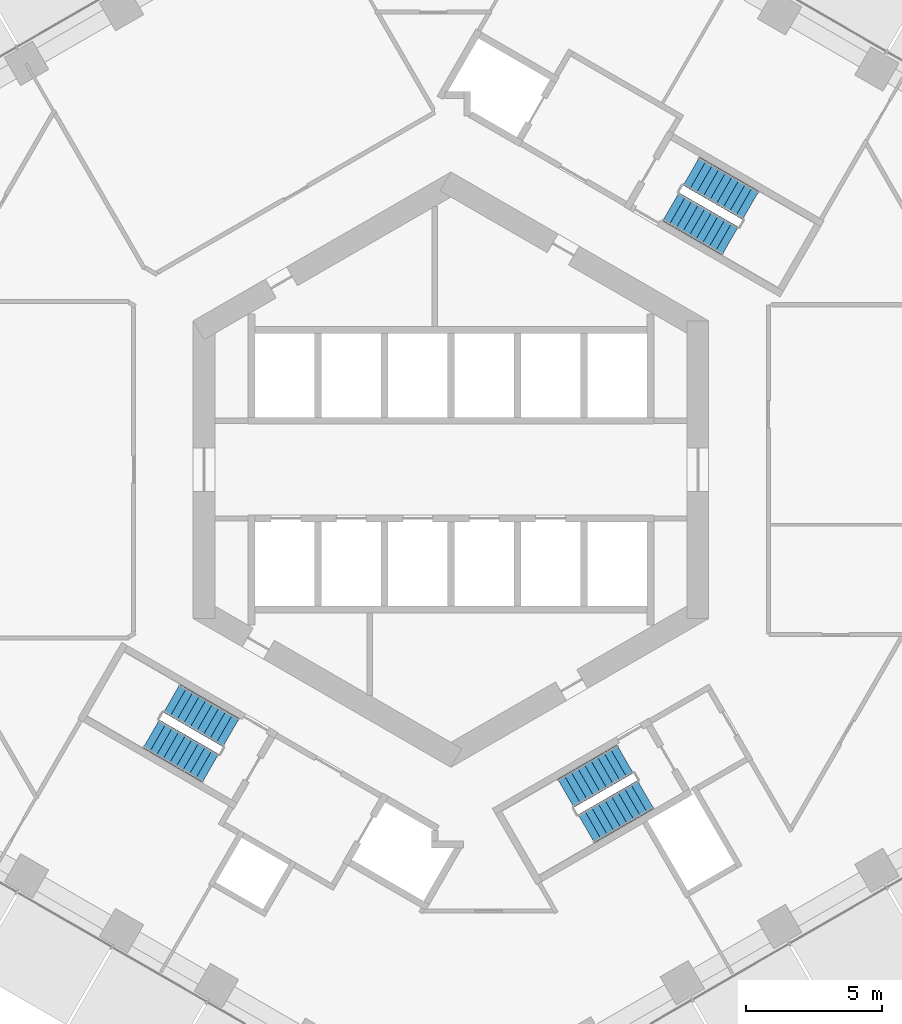
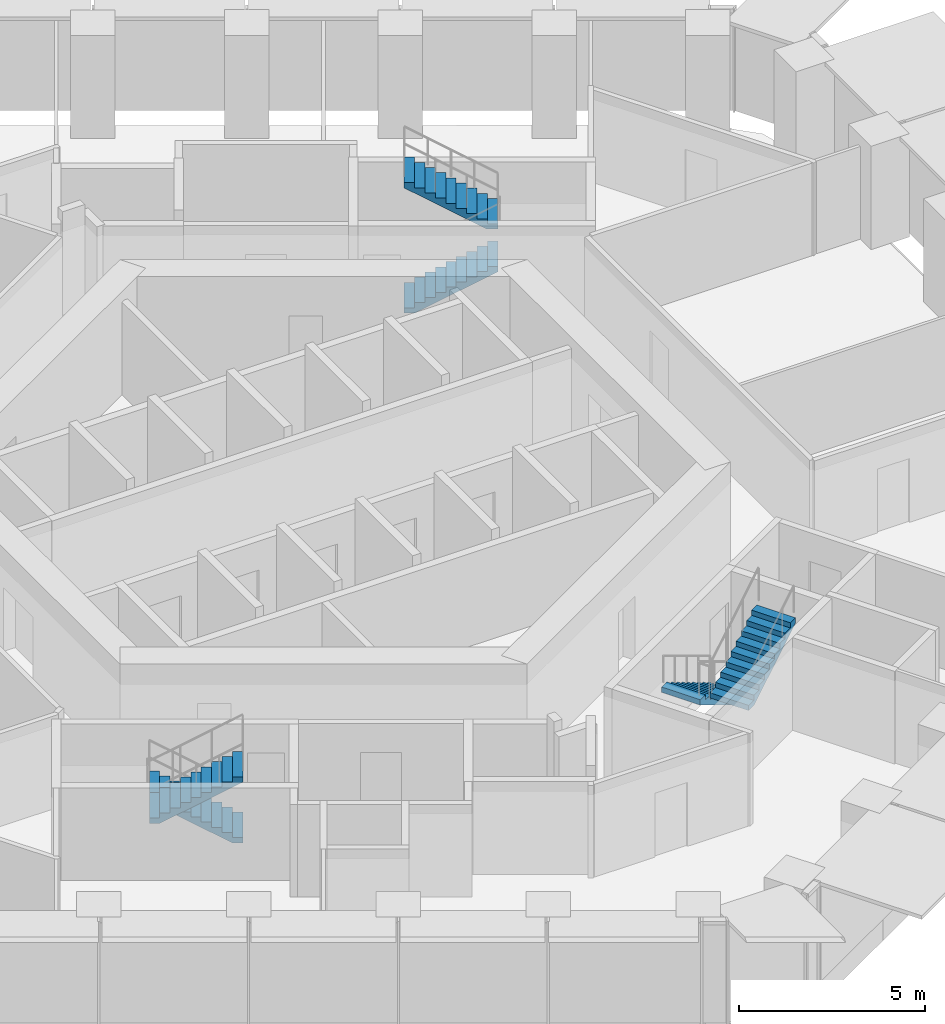
# One storey, part 16 of 19: 6 stair flights, 3 elements without a shape of their own.
"""IFC4 building model written with IfcOpenShell, lengths in metres."""

import ifcopenshell
import ifcopenshell.guid

model = None  # the IFC model being written
_history = None  # IfcOwnerHistory: only IFC2X3 demands one
_inside = {}  # id of a spatial element -> (the spatial element, [elements in it])
_under = {}  # id of a project, library or spatial element -> (it, [spatial elements below it])
_declared = {}  # id of a project -> (the project, [libraries it declares])
_typed = {}  # id of a type object -> (the type object, [elements of that type])
_made_of = {}  # id of a material, layer set ... -> (it, [elements and type objects made of it])


def new_model(schema):
    """Start an empty IFC model of exactly this schema.

    Asked for "IFC4X3", IfcOpenShell would pick the latest addendum, in which some entities
    have other attributes; the version numbers below select the first issue.
    IFC2X3 requires an IfcOwnerHistory on every rooted entity: one is made here for all.
    """
    global model, _history
    if schema == "IFC4X3":
        model = ifcopenshell.file(schema_version=(4, 3, 0, 0))
    else:
        model = ifcopenshell.file(schema=schema)
    _inside.clear()
    _under.clear()
    _declared.clear()
    _typed.clear()
    _made_of.clear()
    _history = None
    if model.schema == "IFC2X3":
        org = make("IfcOrganization", Name="unknown")
        user = make(
            "IfcPersonAndOrganization",
            ThePerson=make("IfcPerson", FamilyName="unknown"),
            TheOrganization=org,
        )
        app = make(
            "IfcApplication",
            ApplicationDeveloper=org,
            Version="unknown",
            ApplicationFullName="unknown",
            ApplicationIdentifier="unknown",
        )
        _history = make(
            "IfcOwnerHistory",
            OwningUser=user,
            OwningApplication=app,
            ChangeAction="ADDED",
            CreationDate=0,
        )
    return model


def make(cls, **values):
    """One entity of the class cls with the attributes given. An attribute that is None is left unset."""
    return model.create_entity(
        cls, **{name: value for name, value in values.items() if value is not None}
    )


def rooted(cls, **values):
    """An entity with a GlobalId (a new one), such as an element, a storey or a relation."""
    return make(cls, GlobalId=ifcopenshell.guid.new(), OwnerHistory=_history, **values)


def si_unit(unit_type, name, prefix=None):
    """IfcSIUnit, for example si_unit("LENGTHUNIT", "METRE", prefix="MILLI")."""
    return make("IfcSIUnit", UnitType=unit_type, Prefix=prefix, Name=name)


def assignment(units):
    """IfcUnitAssignment: the units of a project."""
    return None if units is None else make("IfcUnitAssignment", Units=units)


def point(xyz):
    """IfcCartesianPoint."""
    return None if xyz is None else make("IfcCartesianPoint", Coordinates=xyz)


def direction(xyz):
    """IfcDirection."""
    return None if xyz is None else make("IfcDirection", DirectionRatios=xyz)


def frame(location, z_axis=None, x_axis=None):
    """IfcAxis2Placement3D, a coordinate frame: its origin and axes. An axis left out is left unset."""
    return make(
        "IfcAxis2Placement3D",
        Location=point(location),
        Axis=direction(z_axis),
        RefDirection=direction(x_axis),
    )


def origin():
    """The frame at (0, 0, 0) with its axes left unset."""
    return frame((0.0, 0.0, 0.0))


def place(relative_to, where):
    """IfcLocalPlacement: puts the frame where relative to a parent placement (None: the world)."""
    return make(
        "IfcLocalPlacement", PlacementRelTo=relative_to, RelativePlacement=where
    )


def context(
    kind, dimensions, precision=None, world=None, true_north=None, identifier=None
):
    """IfcGeometricRepresentationContext, for example the 3D "Model" context."""
    return make(
        "IfcGeometricRepresentationContext",
        ContextIdentifier=identifier,
        ContextType=kind,
        CoordinateSpaceDimension=dimensions,
        Precision=precision,
        WorldCoordinateSystem=world,
        TrueNorth=true_north,
    )


def subcontext(parent, identifier, kind, view, scale=None):
    """IfcGeometricRepresentationSubContext, for example "Body" below "Model"."""
    return make(
        "IfcGeometricRepresentationSubContext",
        ContextIdentifier=identifier,
        ContextType=kind,
        ParentContext=parent,
        TargetScale=scale,
        TargetView=view,
    )


def project(units=None, contexts=None):
    """IfcProject with its units and contexts."""
    return rooted(
        "IfcProject",
        Name="project",
        RepresentationContexts=contexts,
        UnitsInContext=assignment(units),
    )


def spatial(cls, under=None, at=None, **own):
    """A site, building, storey or space (cls), placed at a placement, below another one or the project."""
    s = rooted(cls, ObjectPlacement=at, **own)
    if under is not None:
        _under.setdefault(under.id(), (under, []))[1].append(s)
    return s


def point_list(points):
    """IfcCartesianPointList2D or 3D."""
    cls = (
        "IfcCartesianPointList2D" if len(points[0]) == 2 else "IfcCartesianPointList3D"
    )
    return make(cls, CoordList=points)


def triangles(points, corners, closed=None, point_numbers=None):
    """IfcTriangulatedFaceSet: each triangle names its three corners, points numbered from 1."""
    return make(
        "IfcTriangulatedFaceSet",
        Coordinates=point_list(points),
        Closed=closed,
        CoordIndex=corners,
        PnIndex=point_numbers,
    )


def shape(context_of_items, identifier, shape_type, items):
    """IfcShapeRepresentation: the items that make up one representation, for example the "Body"."""
    return make(
        "IfcShapeRepresentation",
        ContextOfItems=context_of_items,
        RepresentationIdentifier=identifier,
        RepresentationType=shape_type,
        Items=items,
    )


def material(Name=None, Category=None):
    """IfcMaterial."""
    return make("IfcMaterial", Name=Name, Category=Category)


def made_of(thing, what):
    """Note that an element or type object is made of a material, layer set ...; save() writes the relation."""
    if what is not None:
        _made_of.setdefault(what.id(), (what, []))[1].append(thing)
    return thing


def type_object(cls, material=None, **own):
    """A type object (cls), such as IfcWallType, which elements share."""
    return made_of(rooted(cls, **own), material)


def element(
    cls,
    number,
    at=None,
    inside=None,
    cuts=None,
    type_object=None,
    material=None,
    context=None,
    identifier="Body",
    shape_type=None,
    held_by="IfcProductDefinitionShape",
    body=None,
    shapes=None,
    **own,
):
    """One element of the class cls, such as IfcWall. Its Tag is "e" and its number.

    at: its placement. inside: the storey or other place that contains it. cuts: it is an
    opening in that element (IfcRelVoidsElement). A single representation is given by context,
    identifier, shape_type and body (its items); several are given by shapes. held_by: the class
    of the entity that holds the representations. save() writes the other relations.
    """
    e = rooted(cls, Tag="e%d" % number, ObjectPlacement=at, **own)
    if body is not None:
        shapes = [shape(context, identifier, shape_type, body)]
    if shapes is not None:
        e.Representation = make(held_by, Representations=shapes)
    if inside is not None:
        _inside.setdefault(inside.id(), (inside, []))[1].append(e)
    if cuts is not None:
        rooted(
            "IfcRelVoidsElement", RelatingBuildingElement=cuts, RelatedOpeningElement=e
        )
    if type_object is not None:
        _typed.setdefault(type_object.id(), (type_object, []))[1].append(e)
    return made_of(e, material)


def aggregate(whole, parts):
    """IfcRelAggregates: a whole, such as a stair, and the parts it consists of."""
    return rooted("IfcRelAggregates", RelatingObject=whole, RelatedObjects=parts)


def save(model, path):
    """Write the relations noted so far, then the file.

    IfcRelAggregates (storeys below a building ...), IfcRelContainedInSpatialStructure (elements
    in a storey), IfcRelDefinesByType, IfcRelAssociatesMaterial and IfcRelDeclares: one each for
    every whole, place, type object, material and project.
    """
    for whole, parts in _under.values():
        aggregate(whole, parts)
    for where, things in _inside.values():
        rooted(
            "IfcRelContainedInSpatialStructure",
            RelatedElements=things,
            RelatingStructure=where,
        )
    for kind, things in _typed.values():
        rooted("IfcRelDefinesByType", RelatedObjects=things, RelatingType=kind)
    for what, things in _made_of.values():
        rooted("IfcRelAssociatesMaterial", RelatedObjects=things, RelatingMaterial=what)
    for by, libraries in _declared.values():
        rooted("IfcRelDeclares", RelatingContext=by, RelatedDefinitions=libraries)
    model.write(path)


model = new_model("IFC4")

# Units and contexts
model_context = context("Model", 3, precision=1e-05, world=origin(), true_north=direction((0.0, 1.0)))
body_context = subcontext(model_context, "Body", "Model", "MODEL_VIEW")
ifc_project = project(units=[si_unit("LENGTHUNIT", "METRE"), si_unit("AREAUNIT", "SQUARE_METRE"), si_unit("VOLUMEUNIT", "CUBIC_METRE"), si_unit("PLANEANGLEUNIT", "RADIAN"), si_unit("MASSUNIT", "GRAM", prefix="KILO")], contexts=[model_context])

# Site, building, storey
site_placement = place(None, origin())
site = spatial("IfcSite", under=ifc_project, at=site_placement, CompositionType="ELEMENT")
building_placement = place(site_placement, origin())
building = spatial("IfcBuilding", under=site, at=building_placement, Name="Ayvan Gate Tower", CompositionType="ELEMENT")
storey_placement = place(building_placement, frame((0.0, 0.0, 32.300048828125)))
storey = spatial("IfcBuildingStorey", under=building, at=storey_placement, Name="L07", CompositionType="ELEMENT", Elevation=32.300048828125)

# Stair, stair flights
ifc_material = material(Name="Concrete C40/50", Category="concrete")
stair_type = type_object("IfcStairType", Name="ST-EXIT", PredefinedType="HALF_TURN_STAIR", material=ifc_material)
stair_1_placement = place(storey_placement, origin())
stair_1 = element("IfcStair", 1, at=stair_1_placement, inside=storey, type_object=stair_type, Name="L07 Exit Stair S1", PredefinedType="HALF_TURN_STAIR")
stair_flight_type = type_object("IfcStairFlightType", Name="SFL-EXIT", PredefinedType="STRAIGHT", material=ifc_material)
stair_flight_1_placement = place(storey_placement, frame((8.106201171875, 9.690185546875, 0.0), z_axis=(0.0, 0.0, 1.0), x_axis=(0.866025403784, -0.5, 0.0)))
stair_flight_1 = element("IfcStairFlight", 2, at=stair_flight_1_placement, type_object=stair_flight_type, Name="STS1 flight 1", NumberOfRisers=10, NumberOfTreads=9, PredefinedType="STRAIGHT", RiserHeight=0.17, TreadLength=0.28, context=body_context, shape_type="Tessellation", body=[
    triangles([(0.288841, -0.599976, 0.0), (2.5205, -0.599976, 1.354936), (2.5205, -0.599976, 1.53), (2.24, -0.599976, 1.53), (2.24, -0.599976, 1.36), (1.96, -0.599976, 1.36), (1.96, -0.599976, 1.19), (1.68, -0.599976, 1.19), (1.68, -0.599976, 1.02), (1.4, -0.599976, 1.02), (1.4, -0.599976, 0.85), (1.12, -0.599976, 0.85), (1.12, -0.599976, 0.68), (0.84, -0.599976, 0.68), (0.84, -0.599976, 0.51), (0.56, -0.599976, 0.51), (0.56, -0.599976, 0.34), (0.28, -0.599976, 0.34), (0.28, -0.599976, 0.17), (-0.0005, -0.599976, 0.17), (-0.0005, -0.599976, 0.0), (0.288841, 0.0, 0.0), (2.5205, 0.0, 1.354936), (2.5205, 0.0, 1.53), (2.24, 0.0, 1.53), (2.24, 0.0, 1.36), (1.96, 0.0, 1.36), (1.96, 0.0, 1.19), (1.68, 0.0, 1.19), (1.68, 0.0, 1.02), (1.4, 0.0, 1.02), (1.4, 0.0, 0.85), (1.12, 0.0, 0.85), (1.12, 0.0, 0.68), (0.84, 0.0, 0.68), (0.84, 0.0, 0.51), (0.56, 0.0, 0.51), (0.56, 0.0, 0.34), (0.28, 0.0, 0.34), (0.28, 0.0, 0.17), (-0.0005, 0.0, 0.17), (-0.0005, 0.0, 0.0), (0.288841, 0.599976, 0.0), (2.5205, 0.599976, 1.354936), (2.5205, 0.599976, 1.53), (2.24, 0.599976, 1.53), (2.24, 0.599976, 1.36), (1.96, 0.599976, 1.36), (1.96, 0.599976, 1.19), (1.68, 0.599976, 1.19), (1.68, 0.599976, 1.02), (1.4, 0.599976, 1.02), (1.4, 0.599976, 0.85), (1.12, 0.599976, 0.85), (1.12, 0.599976, 0.68), (0.84, 0.599976, 0.68), (0.84, 0.599976, 0.51), (0.56, 0.599976, 0.51), (0.56, 0.599976, 0.34), (0.28, 0.599976, 0.34), (0.28, 0.599976, 0.17), (-0.0005, 0.599976, 0.17), (-0.0005, 0.599976, 0.0)], [[21, 1, 2], [63, 44, 43], [2, 3, 4], [44, 46, 45], [2, 4, 5], [44, 47, 46], [2, 5, 6], [44, 48, 47], [2, 6, 7], [44, 49, 48], [7, 8, 9], [49, 51, 50], [2, 7, 9], [44, 51, 49], [9, 10, 11], [51, 53, 52], [2, 9, 11], [44, 53, 51], [11, 12, 13], [53, 55, 54], [2, 11, 13], [44, 55, 53], [13, 14, 15], [55, 57, 56], [2, 13, 15], [44, 57, 55], [15, 16, 17], [57, 59, 58], [2, 15, 17], [44, 59, 57], [17, 18, 19], [59, 61, 60], [2, 17, 19], [44, 61, 59], [21, 2, 19], [63, 61, 44], [19, 20, 21], [61, 63, 62], [1, 22, 23], [1, 23, 2], [43, 23, 22], [43, 44, 23], [2, 23, 24], [2, 24, 3], [44, 24, 23], [44, 45, 24], [3, 24, 25], [3, 25, 4], [45, 25, 24], [45, 46, 25], [4, 25, 26], [4, 26, 5], [46, 26, 25], [46, 47, 26], [5, 26, 27], [5, 27, 6], [47, 27, 26], [47, 48, 27], [6, 27, 28], [6, 28, 7], [48, 28, 27], [48, 49, 28], [7, 28, 29], [7, 29, 8], [49, 29, 28], [49, 50, 29], [8, 29, 30], [8, 30, 9], [50, 30, 29], [50, 51, 30], [9, 30, 31], [9, 31, 10], [51, 31, 30], [51, 52, 31], [10, 31, 32], [10, 32, 11], [52, 32, 31], [52, 53, 32], [11, 32, 33], [11, 33, 12], [53, 33, 32], [53, 54, 33], [12, 33, 34], [12, 34, 13], [54, 34, 33], [54, 55, 34], [13, 34, 35], [13, 35, 14], [55, 35, 34], [55, 56, 35], [14, 35, 36], [14, 36, 15], [56, 36, 35], [56, 57, 36], [15, 36, 37], [15, 37, 16], [57, 37, 36], [57, 58, 37], [16, 37, 38], [16, 38, 17], [58, 38, 37], [58, 59, 38], [17, 38, 39], [17, 39, 18], [59, 39, 38], [59, 60, 39], [18, 39, 40], [18, 40, 19], [60, 40, 39], [60, 61, 40], [19, 40, 41], [19, 41, 20], [61, 41, 40], [61, 62, 41], [20, 41, 42], [20, 42, 21], [62, 42, 41], [62, 63, 42], [21, 42, 22], [21, 22, 1], [63, 22, 42], [63, 43, 22]], closed=True),
])
stair_flight_2_placement = place(storey_placement, frame((11.04345703125, 9.73779296875, 1.699951171875), z_axis=(0.0, 0.0, 1.0), x_axis=(-0.866025403784, 0.5, 0.0)))
stair_flight_2 = element("IfcStairFlight", 3, at=stair_flight_2_placement, type_object=stair_flight_type, Name="STS1 flight 2", NumberOfRisers=10, NumberOfTreads=9, PredefinedType="STRAIGHT", RiserHeight=0.17, TreadLength=0.28, context=body_context, shape_type="Tessellation", body=[
    triangles([(0.288841, -0.599976, 0.0), (2.5205, -0.599976, 1.354936), (2.5205, -0.599976, 1.53), (2.24, -0.599976, 1.53), (2.24, -0.599976, 1.36), (1.96, -0.599976, 1.36), (1.96, -0.599976, 1.19), (1.68, -0.599976, 1.19), (1.68, -0.599976, 1.02), (1.4, -0.599976, 1.02), (1.4, -0.599976, 0.85), (1.12, -0.599976, 0.85), (1.12, -0.599976, 0.68), (0.84, -0.599976, 0.68), (0.84, -0.599976, 0.51), (0.56, -0.599976, 0.51), (0.56, -0.599976, 0.34), (0.28, -0.599976, 0.34), (0.28, -0.599976, 0.17), (-0.0005, -0.599976, 0.17), (-0.0005, -0.599976, 0.0), (0.288841, 0.0, 0.0), (2.5205, 0.0, 1.354936), (2.5205, 0.0, 1.53), (2.24, 0.0, 1.53), (2.24, 0.0, 1.36), (1.96, 0.0, 1.36), (1.96, 0.0, 1.19), (1.68, 0.0, 1.19), (1.68, 0.0, 1.02), (1.4, 0.0, 1.02), (1.4, 0.0, 0.85), (1.12, 0.0, 0.85), (1.12, 0.0, 0.68), (0.84, 0.0, 0.68), (0.84, 0.0, 0.51), (0.56, 0.0, 0.51), (0.56, 0.0, 0.34), (0.28, 0.0, 0.34), (0.28, 0.0, 0.17), (-0.0005, 0.0, 0.17), (-0.0005, 0.0, 0.0), (0.288841, 0.599976, 0.0), (2.5205, 0.599976, 1.354936), (2.5205, 0.599976, 1.53), (2.24, 0.599976, 1.53), (2.24, 0.599976, 1.36), (1.96, 0.599976, 1.36), (1.96, 0.599976, 1.19), (1.68, 0.599976, 1.19), (1.68, 0.599976, 1.02), (1.4, 0.599976, 1.02), (1.4, 0.599976, 0.85), (1.12, 0.599976, 0.85), (1.12, 0.599976, 0.68), (0.84, 0.599976, 0.68), (0.84, 0.599976, 0.51), (0.56, 0.599976, 0.51), (0.56, 0.599976, 0.34), (0.28, 0.599976, 0.34), (0.28, 0.599976, 0.17), (-0.0005, 0.599976, 0.17), (-0.0005, 0.599976, 0.0)], [[21, 1, 2], [63, 44, 43], [2, 3, 4], [44, 46, 45], [2, 4, 5], [44, 47, 46], [2, 5, 6], [44, 48, 47], [2, 6, 7], [44, 49, 48], [7, 8, 9], [49, 51, 50], [2, 7, 9], [44, 51, 49], [9, 10, 11], [51, 53, 52], [2, 9, 11], [44, 53, 51], [11, 12, 13], [53, 55, 54], [2, 11, 13], [44, 55, 53], [13, 14, 15], [55, 57, 56], [2, 13, 15], [44, 57, 55], [15, 16, 17], [57, 59, 58], [2, 15, 17], [44, 59, 57], [17, 18, 19], [59, 61, 60], [2, 17, 19], [44, 61, 59], [21, 2, 19], [63, 61, 44], [19, 20, 21], [61, 63, 62], [1, 22, 23], [1, 23, 2], [43, 23, 22], [43, 44, 23], [2, 23, 24], [2, 24, 3], [44, 24, 23], [44, 45, 24], [3, 24, 25], [3, 25, 4], [45, 25, 24], [45, 46, 25], [4, 25, 26], [4, 26, 5], [46, 26, 25], [46, 47, 26], [5, 26, 27], [5, 27, 6], [47, 27, 26], [47, 48, 27], [6, 27, 28], [6, 28, 7], [48, 28, 27], [48, 49, 28], [7, 28, 29], [7, 29, 8], [49, 29, 28], [49, 50, 29], [8, 29, 30], [8, 30, 9], [50, 30, 29], [50, 51, 30], [9, 30, 31], [9, 31, 10], [51, 31, 30], [51, 52, 31], [10, 31, 32], [10, 32, 11], [52, 32, 31], [52, 53, 32], [11, 32, 33], [11, 33, 12], [53, 33, 32], [53, 54, 33], [12, 33, 34], [12, 34, 13], [54, 34, 33], [54, 55, 34], [13, 34, 35], [13, 35, 14], [55, 35, 34], [55, 56, 35], [14, 35, 36], [14, 36, 15], [56, 36, 35], [56, 57, 36], [15, 36, 37], [15, 37, 16], [57, 37, 36], [57, 58, 37], [16, 37, 38], [16, 38, 17], [58, 38, 37], [58, 59, 38], [17, 38, 39], [17, 39, 18], [59, 39, 38], [59, 60, 39], [18, 39, 40], [18, 40, 19], [60, 40, 39], [60, 61, 40], [19, 40, 41], [19, 41, 20], [61, 41, 40], [61, 62, 41], [20, 41, 42], [20, 42, 21], [62, 42, 41], [62, 63, 42], [21, 42, 22], [21, 22, 1], [63, 22, 42], [63, 43, 22]], closed=True),
])
aggregate(stair_1, [stair_flight_1, stair_flight_2])

stair_2_placement = place(storey_placement, origin())
stair_2 = element("IfcStair", 4, at=stair_2_placement, inside=storey, type_object=stair_type, Name="L07 Exit Stair S2", PredefinedType="HALF_TURN_STAIR")
stair_flight_3_placement = place(storey_placement, frame((-8.106201171875, -9.690185546875, 0.0), z_axis=(0.0, 0.0, 1.0), x_axis=(-0.866025403784, 0.5, 0.0)))
stair_flight_3 = element("IfcStairFlight", 5, at=stair_flight_3_placement, type_object=stair_flight_type, Name="STS2 flight 1", NumberOfRisers=10, NumberOfTreads=9, PredefinedType="STRAIGHT", RiserHeight=0.17, TreadLength=0.28, context=body_context, shape_type="Tessellation", body=[
    triangles([(0.288841, -0.599976, 0.0), (2.5205, -0.599976, 1.354936), (2.5205, -0.599976, 1.53), (2.24, -0.599976, 1.53), (2.24, -0.599976, 1.36), (1.96, -0.599976, 1.36), (1.96, -0.599976, 1.19), (1.68, -0.599976, 1.19), (1.68, -0.599976, 1.02), (1.4, -0.599976, 1.02), (1.4, -0.599976, 0.85), (1.12, -0.599976, 0.85), (1.12, -0.599976, 0.68), (0.84, -0.599976, 0.68), (0.84, -0.599976, 0.51), (0.56, -0.599976, 0.51), (0.56, -0.599976, 0.34), (0.28, -0.599976, 0.34), (0.28, -0.599976, 0.17), (-0.0005, -0.599976, 0.17), (-0.0005, -0.599976, 0.0), (0.288841, 0.0, 0.0), (2.5205, 0.0, 1.354936), (2.5205, 0.0, 1.53), (2.24, 0.0, 1.53), (2.24, 0.0, 1.36), (1.96, 0.0, 1.36), (1.96, 0.0, 1.19), (1.68, 0.0, 1.19), (1.68, 0.0, 1.02), (1.4, 0.0, 1.02), (1.4, 0.0, 0.85), (1.12, 0.0, 0.85), (1.12, 0.0, 0.68), (0.84, 0.0, 0.68), (0.84, 0.0, 0.51), (0.56, 0.0, 0.51), (0.56, 0.0, 0.34), (0.28, 0.0, 0.34), (0.28, 0.0, 0.17), (-0.0005, 0.0, 0.17), (-0.0005, 0.0, 0.0), (0.288841, 0.599976, 0.0), (2.5205, 0.599976, 1.354936), (2.5205, 0.599976, 1.53), (2.24, 0.599976, 1.53), (2.24, 0.599976, 1.36), (1.96, 0.599976, 1.36), (1.96, 0.599976, 1.19), (1.68, 0.599976, 1.19), (1.68, 0.599976, 1.02), (1.4, 0.599976, 1.02), (1.4, 0.599976, 0.85), (1.12, 0.599976, 0.85), (1.12, 0.599976, 0.68), (0.84, 0.599976, 0.68), (0.84, 0.599976, 0.51), (0.56, 0.599976, 0.51), (0.56, 0.599976, 0.34), (0.28, 0.599976, 0.34), (0.28, 0.599976, 0.17), (-0.0005, 0.599976, 0.17), (-0.0005, 0.599976, 0.0)], [[21, 1, 2], [63, 44, 43], [2, 3, 4], [44, 46, 45], [2, 4, 5], [44, 47, 46], [2, 5, 6], [44, 48, 47], [2, 6, 7], [44, 49, 48], [7, 8, 9], [49, 51, 50], [2, 7, 9], [44, 51, 49], [9, 10, 11], [51, 53, 52], [2, 9, 11], [44, 53, 51], [11, 12, 13], [53, 55, 54], [2, 11, 13], [44, 55, 53], [13, 14, 15], [55, 57, 56], [2, 13, 15], [44, 57, 55], [15, 16, 17], [57, 59, 58], [2, 15, 17], [44, 59, 57], [17, 18, 19], [59, 61, 60], [2, 17, 19], [44, 61, 59], [21, 2, 19], [63, 61, 44], [19, 20, 21], [61, 63, 62], [1, 22, 23], [1, 23, 2], [43, 23, 22], [43, 44, 23], [2, 23, 24], [2, 24, 3], [44, 24, 23], [44, 45, 24], [3, 24, 25], [3, 25, 4], [45, 25, 24], [45, 46, 25], [4, 25, 26], [4, 26, 5], [46, 26, 25], [46, 47, 26], [5, 26, 27], [5, 27, 6], [47, 27, 26], [47, 48, 27], [6, 27, 28], [6, 28, 7], [48, 28, 27], [48, 49, 28], [7, 28, 29], [7, 29, 8], [49, 29, 28], [49, 50, 29], [8, 29, 30], [8, 30, 9], [50, 30, 29], [50, 51, 30], [9, 30, 31], [9, 31, 10], [51, 31, 30], [51, 52, 31], [10, 31, 32], [10, 32, 11], [52, 32, 31], [52, 53, 32], [11, 32, 33], [11, 33, 12], [53, 33, 32], [53, 54, 33], [12, 33, 34], [12, 34, 13], [54, 34, 33], [54, 55, 34], [13, 34, 35], [13, 35, 14], [55, 35, 34], [55, 56, 35], [14, 35, 36], [14, 36, 15], [56, 36, 35], [56, 57, 36], [15, 36, 37], [15, 37, 16], [57, 37, 36], [57, 58, 37], [16, 37, 38], [16, 38, 17], [58, 38, 37], [58, 59, 38], [17, 38, 39], [17, 39, 18], [59, 39, 38], [59, 60, 39], [18, 39, 40], [18, 40, 19], [60, 40, 39], [60, 61, 40], [19, 40, 41], [19, 41, 20], [61, 41, 40], [61, 62, 41], [20, 41, 42], [20, 42, 21], [62, 42, 41], [62, 63, 42], [21, 42, 22], [21, 22, 1], [63, 22, 42], [63, 43, 22]], closed=True),
])
stair_flight_4_placement = place(storey_placement, frame((-11.04345703125, -9.73779296875, 1.699951171875), z_axis=(0.0, 0.0, 1.0), x_axis=(0.866025403784, -0.5, 0.0)))
stair_flight_4 = element("IfcStairFlight", 6, at=stair_flight_4_placement, type_object=stair_flight_type, Name="STS2 flight 2", NumberOfRisers=10, NumberOfTreads=9, PredefinedType="STRAIGHT", RiserHeight=0.17, TreadLength=0.28, context=body_context, shape_type="Tessellation", body=[
    triangles([(0.288841, -0.599976, 0.0), (2.5205, -0.599976, 1.354936), (2.5205, -0.599976, 1.53), (2.24, -0.599976, 1.53), (2.24, -0.599976, 1.36), (1.96, -0.599976, 1.36), (1.96, -0.599976, 1.19), (1.68, -0.599976, 1.19), (1.68, -0.599976, 1.02), (1.4, -0.599976, 1.02), (1.4, -0.599976, 0.85), (1.12, -0.599976, 0.85), (1.12, -0.599976, 0.68), (0.84, -0.599976, 0.68), (0.84, -0.599976, 0.51), (0.56, -0.599976, 0.51), (0.56, -0.599976, 0.34), (0.28, -0.599976, 0.34), (0.28, -0.599976, 0.17), (-0.0005, -0.599976, 0.17), (-0.0005, -0.599976, 0.0), (0.288841, 0.0, 0.0), (2.5205, 0.0, 1.354936), (2.5205, 0.0, 1.53), (2.24, 0.0, 1.53), (2.24, 0.0, 1.36), (1.96, 0.0, 1.36), (1.96, 0.0, 1.19), (1.68, 0.0, 1.19), (1.68, 0.0, 1.02), (1.4, 0.0, 1.02), (1.4, 0.0, 0.85), (1.12, 0.0, 0.85), (1.12, 0.0, 0.68), (0.84, 0.0, 0.68), (0.84, 0.0, 0.51), (0.56, 0.0, 0.51), (0.56, 0.0, 0.34), (0.28, 0.0, 0.34), (0.28, 0.0, 0.17), (-0.0005, 0.0, 0.17), (-0.0005, 0.0, 0.0), (0.288841, 0.599976, 0.0), (2.5205, 0.599976, 1.354936), (2.5205, 0.599976, 1.53), (2.24, 0.599976, 1.53), (2.24, 0.599976, 1.36), (1.96, 0.599976, 1.36), (1.96, 0.599976, 1.19), (1.68, 0.599976, 1.19), (1.68, 0.599976, 1.02), (1.4, 0.599976, 1.02), (1.4, 0.599976, 0.85), (1.12, 0.599976, 0.85), (1.12, 0.599976, 0.68), (0.84, 0.599976, 0.68), (0.84, 0.599976, 0.51), (0.56, 0.599976, 0.51), (0.56, 0.599976, 0.34), (0.28, 0.599976, 0.34), (0.28, 0.599976, 0.17), (-0.0005, 0.599976, 0.17), (-0.0005, 0.599976, 0.0)], [[21, 1, 2], [63, 44, 43], [2, 3, 4], [44, 46, 45], [2, 4, 5], [44, 47, 46], [2, 5, 6], [44, 48, 47], [2, 6, 7], [44, 49, 48], [7, 8, 9], [49, 51, 50], [2, 7, 9], [44, 51, 49], [9, 10, 11], [51, 53, 52], [2, 9, 11], [44, 53, 51], [11, 12, 13], [53, 55, 54], [2, 11, 13], [44, 55, 53], [13, 14, 15], [55, 57, 56], [2, 13, 15], [44, 57, 55], [15, 16, 17], [57, 59, 58], [2, 15, 17], [44, 59, 57], [17, 18, 19], [59, 61, 60], [2, 17, 19], [44, 61, 59], [21, 2, 19], [63, 61, 44], [19, 20, 21], [61, 63, 62], [1, 22, 23], [1, 23, 2], [43, 23, 22], [43, 44, 23], [2, 23, 24], [2, 24, 3], [44, 24, 23], [44, 45, 24], [3, 24, 25], [3, 25, 4], [45, 25, 24], [45, 46, 25], [4, 25, 26], [4, 26, 5], [46, 26, 25], [46, 47, 26], [5, 26, 27], [5, 27, 6], [47, 27, 26], [47, 48, 27], [6, 27, 28], [6, 28, 7], [48, 28, 27], [48, 49, 28], [7, 28, 29], [7, 29, 8], [49, 29, 28], [49, 50, 29], [8, 29, 30], [8, 30, 9], [50, 30, 29], [50, 51, 30], [9, 30, 31], [9, 31, 10], [51, 31, 30], [51, 52, 31], [10, 31, 32], [10, 32, 11], [52, 32, 31], [52, 53, 32], [11, 32, 33], [11, 33, 12], [53, 33, 32], [53, 54, 33], [12, 33, 34], [12, 34, 13], [54, 34, 33], [54, 55, 34], [13, 34, 35], [13, 35, 14], [55, 35, 34], [55, 56, 35], [14, 35, 36], [14, 36, 15], [56, 36, 35], [56, 57, 36], [15, 36, 37], [15, 37, 16], [57, 37, 36], [57, 58, 37], [16, 37, 38], [16, 38, 17], [58, 38, 37], [58, 59, 38], [17, 38, 39], [17, 39, 18], [59, 39, 38], [59, 60, 39], [18, 39, 40], [18, 40, 19], [60, 40, 39], [60, 61, 40], [19, 40, 41], [19, 41, 20], [61, 41, 40], [61, 62, 41], [20, 41, 42], [20, 42, 21], [62, 42, 41], [62, 63, 42], [21, 42, 22], [21, 22, 1], [63, 22, 42], [63, 43, 22]], closed=True),
])
aggregate(stair_2, [stair_flight_3, stair_flight_4])

stair_3_placement = place(storey_placement, origin())
stair_3 = element("IfcStair", 7, at=stair_3_placement, inside=storey, type_object=stair_type, Name="L07 Exit Stair S3", PredefinedType="HALF_TURN_STAIR")
stair_flight_5_placement = place(storey_placement, frame((6.417236328125, -10.665283203125, 0.0), z_axis=(0.0, 0.0, 1.0), x_axis=(-0.866025403784, -0.5, 0.0)))
stair_flight_5 = element("IfcStairFlight", 8, at=stair_flight_5_placement, type_object=stair_flight_type, Name="STS3 flight 1", NumberOfRisers=10, NumberOfTreads=9, PredefinedType="STRAIGHT", RiserHeight=0.17, TreadLength=0.28, context=body_context, shape_type="Tessellation", body=[
    triangles([(0.288841, -0.599976, 0.0), (2.5205, -0.599976, 1.354936), (2.5205, -0.599976, 1.53), (2.24, -0.599976, 1.53), (2.24, -0.599976, 1.36), (1.96, -0.599976, 1.36), (1.96, -0.599976, 1.19), (1.68, -0.599976, 1.19), (1.68, -0.599976, 1.02), (1.4, -0.599976, 1.02), (1.4, -0.599976, 0.85), (1.12, -0.599976, 0.85), (1.12, -0.599976, 0.68), (0.84, -0.599976, 0.68), (0.84, -0.599976, 0.51), (0.56, -0.599976, 0.51), (0.56, -0.599976, 0.34), (0.28, -0.599976, 0.34), (0.28, -0.599976, 0.17), (-0.0005, -0.599976, 0.17), (-0.0005, -0.599976, 0.0), (0.288841, 0.0, 0.0), (2.5205, 0.0, 1.354936), (2.5205, 0.0, 1.53), (2.24, 0.0, 1.53), (2.24, 0.0, 1.36), (1.96, 0.0, 1.36), (1.96, 0.0, 1.19), (1.68, 0.0, 1.19), (1.68, 0.0, 1.02), (1.4, 0.0, 1.02), (1.4, 0.0, 0.85), (1.12, 0.0, 0.85), (1.12, 0.0, 0.68), (0.84, 0.0, 0.68), (0.84, 0.0, 0.51), (0.56, 0.0, 0.51), (0.56, 0.0, 0.34), (0.28, 0.0, 0.34), (0.28, 0.0, 0.17), (-0.0005, 0.0, 0.17), (-0.0005, 0.0, 0.0), (0.288841, 0.599976, 0.0), (2.5205, 0.599976, 1.354936), (2.5205, 0.599976, 1.53), (2.24, 0.599976, 1.53), (2.24, 0.599976, 1.36), (1.96, 0.599976, 1.36), (1.96, 0.599976, 1.19), (1.68, 0.599976, 1.19), (1.68, 0.599976, 1.02), (1.4, 0.599976, 1.02), (1.4, 0.599976, 0.85), (1.12, 0.599976, 0.85), (1.12, 0.599976, 0.68), (0.84, 0.599976, 0.68), (0.84, 0.599976, 0.51), (0.56, 0.599976, 0.51), (0.56, 0.599976, 0.34), (0.28, 0.599976, 0.34), (0.28, 0.599976, 0.17), (-0.0005, 0.599976, 0.17), (-0.0005, 0.599976, 0.0)], [[21, 1, 2], [63, 44, 43], [2, 3, 4], [44, 46, 45], [2, 4, 5], [44, 47, 46], [2, 5, 6], [44, 48, 47], [2, 6, 7], [44, 49, 48], [7, 8, 9], [49, 51, 50], [2, 7, 9], [44, 51, 49], [9, 10, 11], [51, 53, 52], [2, 9, 11], [44, 53, 51], [11, 12, 13], [53, 55, 54], [2, 11, 13], [44, 55, 53], [13, 14, 15], [55, 57, 56], [2, 13, 15], [44, 57, 55], [15, 16, 17], [57, 59, 58], [2, 15, 17], [44, 59, 57], [17, 18, 19], [59, 61, 60], [2, 17, 19], [44, 61, 59], [21, 2, 19], [63, 61, 44], [19, 20, 21], [61, 63, 62], [1, 22, 23], [1, 23, 2], [43, 23, 22], [43, 44, 23], [2, 23, 24], [2, 24, 3], [44, 24, 23], [44, 45, 24], [3, 24, 25], [3, 25, 4], [45, 25, 24], [45, 46, 25], [4, 25, 26], [4, 26, 5], [46, 26, 25], [46, 47, 26], [5, 26, 27], [5, 27, 6], [47, 27, 26], [47, 48, 27], [6, 27, 28], [6, 28, 7], [48, 28, 27], [48, 49, 28], [7, 28, 29], [7, 29, 8], [49, 29, 28], [49, 50, 29], [8, 29, 30], [8, 30, 9], [50, 30, 29], [50, 51, 30], [9, 30, 31], [9, 31, 10], [51, 31, 30], [51, 52, 31], [10, 31, 32], [10, 32, 11], [52, 32, 31], [52, 53, 32], [11, 32, 33], [11, 33, 12], [53, 33, 32], [53, 54, 33], [12, 33, 34], [12, 34, 13], [54, 34, 33], [54, 55, 34], [13, 34, 35], [13, 35, 14], [55, 35, 34], [55, 56, 35], [14, 35, 36], [14, 36, 15], [56, 36, 35], [56, 57, 36], [15, 36, 37], [15, 37, 16], [57, 37, 36], [57, 58, 37], [16, 37, 38], [16, 38, 17], [58, 38, 37], [58, 59, 38], [17, 38, 39], [17, 39, 18], [59, 39, 38], [59, 60, 39], [18, 39, 40], [18, 40, 19], [60, 40, 39], [60, 61, 40], [19, 40, 41], [19, 41, 20], [61, 41, 40], [61, 62, 41], [20, 41, 42], [20, 42, 21], [62, 42, 41], [62, 63, 42], [21, 42, 22], [21, 22, 1], [63, 22, 42], [63, 43, 22]], closed=True),
])
stair_flight_6_placement = place(storey_placement, frame((4.989990234375, -13.23291015625, 1.699951171875), z_axis=(0.0, 0.0, 1.0), x_axis=(0.866025403784, 0.5, 0.0)))
stair_flight_6 = element("IfcStairFlight", 9, at=stair_flight_6_placement, type_object=stair_flight_type, Name="STS3 flight 2", NumberOfRisers=10, NumberOfTreads=9, PredefinedType="STRAIGHT", RiserHeight=0.17, TreadLength=0.28, context=body_context, shape_type="Tessellation", body=[
    triangles([(0.288841, -0.599976, 0.0), (2.5205, -0.599976, 1.354936), (2.5205, -0.599976, 1.53), (2.24, -0.599976, 1.53), (2.24, -0.599976, 1.36), (1.96, -0.599976, 1.36), (1.96, -0.599976, 1.19), (1.68, -0.599976, 1.19), (1.68, -0.599976, 1.02), (1.4, -0.599976, 1.02), (1.4, -0.599976, 0.85), (1.12, -0.599976, 0.85), (1.12, -0.599976, 0.68), (0.84, -0.599976, 0.68), (0.84, -0.599976, 0.51), (0.56, -0.599976, 0.51), (0.56, -0.599976, 0.34), (0.28, -0.599976, 0.34), (0.28, -0.599976, 0.17), (-0.0005, -0.599976, 0.17), (-0.0005, -0.599976, 0.0), (0.288841, 0.0, 0.0), (2.5205, 0.0, 1.354936), (2.5205, 0.0, 1.53), (2.24, 0.0, 1.53), (2.24, 0.0, 1.36), (1.96, 0.0, 1.36), (1.96, 0.0, 1.19), (1.68, 0.0, 1.19), (1.68, 0.0, 1.02), (1.4, 0.0, 1.02), (1.4, 0.0, 0.85), (1.12, 0.0, 0.85), (1.12, 0.0, 0.68), (0.84, 0.0, 0.68), (0.84, 0.0, 0.51), (0.56, 0.0, 0.51), (0.56, 0.0, 0.34), (0.28, 0.0, 0.34), (0.28, 0.0, 0.17), (-0.0005, 0.0, 0.17), (-0.0005, 0.0, 0.0), (0.288841, 0.599976, 0.0), (2.5205, 0.599976, 1.354936), (2.5205, 0.599976, 1.53), (2.24, 0.599976, 1.53), (2.24, 0.599976, 1.36), (1.96, 0.599976, 1.36), (1.96, 0.599976, 1.19), (1.68, 0.599976, 1.19), (1.68, 0.599976, 1.02), (1.4, 0.599976, 1.02), (1.4, 0.599976, 0.85), (1.12, 0.599976, 0.85), (1.12, 0.599976, 0.68), (0.84, 0.599976, 0.68), (0.84, 0.599976, 0.51), (0.56, 0.599976, 0.51), (0.56, 0.599976, 0.34), (0.28, 0.599976, 0.34), (0.28, 0.599976, 0.17), (-0.0005, 0.599976, 0.17), (-0.0005, 0.599976, 0.0)], [[21, 1, 2], [63, 44, 43], [2, 3, 4], [44, 46, 45], [2, 4, 5], [44, 47, 46], [2, 5, 6], [44, 48, 47], [2, 6, 7], [44, 49, 48], [7, 8, 9], [49, 51, 50], [2, 7, 9], [44, 51, 49], [9, 10, 11], [51, 53, 52], [2, 9, 11], [44, 53, 51], [11, 12, 13], [53, 55, 54], [2, 11, 13], [44, 55, 53], [13, 14, 15], [55, 57, 56], [2, 13, 15], [44, 57, 55], [15, 16, 17], [57, 59, 58], [2, 15, 17], [44, 59, 57], [17, 18, 19], [59, 61, 60], [2, 17, 19], [44, 61, 59], [21, 2, 19], [63, 61, 44], [19, 20, 21], [61, 63, 62], [1, 22, 23], [1, 23, 2], [43, 23, 22], [43, 44, 23], [2, 23, 24], [2, 24, 3], [44, 24, 23], [44, 45, 24], [3, 24, 25], [3, 25, 4], [45, 25, 24], [45, 46, 25], [4, 25, 26], [4, 26, 5], [46, 26, 25], [46, 47, 26], [5, 26, 27], [5, 27, 6], [47, 27, 26], [47, 48, 27], [6, 27, 28], [6, 28, 7], [48, 28, 27], [48, 49, 28], [7, 28, 29], [7, 29, 8], [49, 29, 28], [49, 50, 29], [8, 29, 30], [8, 30, 9], [50, 30, 29], [50, 51, 30], [9, 30, 31], [9, 31, 10], [51, 31, 30], [51, 52, 31], [10, 31, 32], [10, 32, 11], [52, 32, 31], [52, 53, 32], [11, 32, 33], [11, 33, 12], [53, 33, 32], [53, 54, 33], [12, 33, 34], [12, 34, 13], [54, 34, 33], [54, 55, 34], [13, 34, 35], [13, 35, 14], [55, 35, 34], [55, 56, 35], [14, 35, 36], [14, 36, 15], [56, 36, 35], [56, 57, 36], [15, 36, 37], [15, 37, 16], [57, 37, 36], [57, 58, 37], [16, 37, 38], [16, 38, 17], [58, 38, 37], [58, 59, 38], [17, 38, 39], [17, 39, 18], [59, 39, 38], [59, 60, 39], [18, 39, 40], [18, 40, 19], [60, 40, 39], [60, 61, 40], [19, 40, 41], [19, 41, 20], [61, 41, 40], [61, 62, 41], [20, 41, 42], [20, 42, 21], [62, 42, 41], [62, 63, 42], [21, 42, 22], [21, 22, 1], [63, 22, 42], [63, 43, 22]], closed=True),
])
aggregate(stair_3, [stair_flight_5, stair_flight_6])

save(model, "model.ifc")
